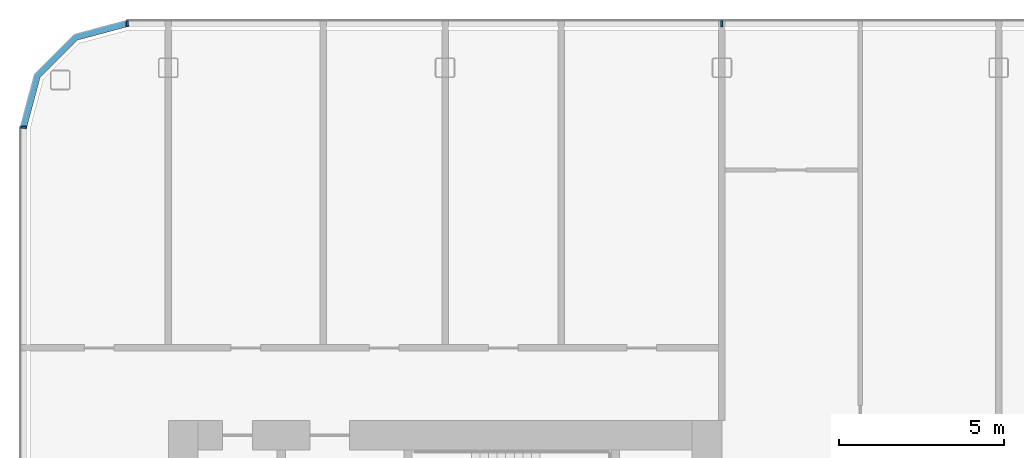
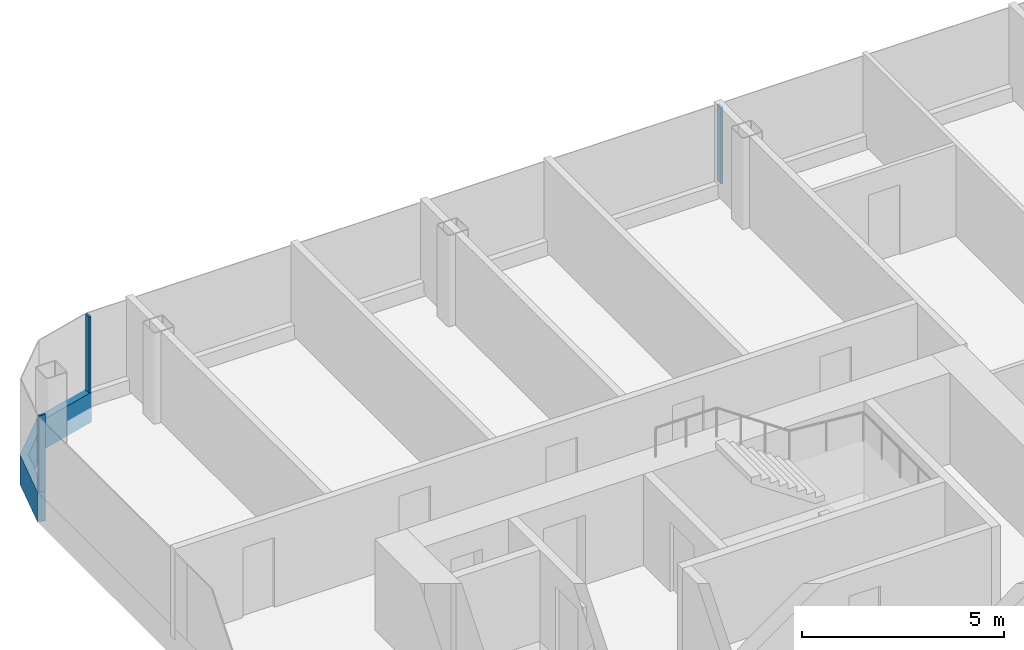
# One storey, part 6 of 26: 4 members, 3 elements without a shape of their own.
"""IFC4 building model written with IfcOpenShell, lengths in metres."""

from ifc_helpers import new_model, si_unit, direction, frame, origin, origin_2d, place, context, subcontext, project, spatial, polyline, rectangle, outline, extrude, material, layer, layer_set, material_profile, profile_set, type_object, element, aggregate, save


model = new_model("IFC4")

# Units and contexts
model_context = context("Model", 3, precision=1e-05, world=origin(), true_north=direction((0.0, 1.0)))
body_context = subcontext(model_context, "Body", "Model", "MODEL_VIEW")
ifc_project = project(units=[si_unit("LENGTHUNIT", "METRE"), si_unit("AREAUNIT", "SQUARE_METRE"), si_unit("VOLUMEUNIT", "CUBIC_METRE"), si_unit("PLANEANGLEUNIT", "RADIAN"), si_unit("MASSUNIT", "GRAM", prefix="KILO")], contexts=[model_context])

# Site, building, storey
site_placement = place(None, origin())
site = spatial("IfcSite", under=ifc_project, at=site_placement, CompositionType="ELEMENT")
building_placement = place(site_placement, origin())
building = spatial("IfcBuilding", under=site, at=building_placement, Name="Hakoniwa Tower and Hamabe Station Hall", CompositionType="ELEMENT")
storey_placement = place(building_placement, frame((0.0, 0.0, 199.39990234375)))
storey = spatial("IfcBuildingStorey", under=building, at=storey_placement, Name="L56", CompositionType="ELEMENT", Elevation=199.39990234375)

# Curtain wall, member
ifc_material_1 = material(Name="Dark low-e laminated glass", Category="glass")
ifc_layer = layer(ifc_material_1, 0.199951171875)
ifc_layer_set = layer_set([ifc_layer], Name="CW-1 UNITISED GUEST")
curtain_wall_type = type_object("IfcCurtainWallType", Name="CW-1 UNITISED GUEST", PredefinedType="NOTDEFINED", material=ifc_layer_set)
curtain_wall_1_placement = place(storey_placement, origin())
curtain_wall_1 = element("IfcCurtainWall", 1, at=curtain_wall_1_placement, inside=storey, type_object=curtain_wall_type, Name="CW-1 curtain wall", PredefinedType="NOTDEFINED")
ifc_material_2 = material(Name="Aluminium 6063-T5 black anodised", Category="aluminium")
ifc_material_profile_1 = material_profile(ifc_material_2, rectangle(XDim=0.199951171875, YDim=0.89990234375, at=origin_2d()), Name="CW SLAB-EDGE BAND 900X200")
ifc_profile_set_1 = profile_set([ifc_material_profile_1], Name="Aluminium 6063-T5 black anodised")
member_type_1 = type_object("IfcMemberType", Name="CW SLAB-EDGE BAND 900X200", PredefinedType="USERDEFINED", material=ifc_profile_set_1)
member_1_placement = place(storey_placement, frame((0.0, 0.0, -0.5498046875)))
member_1 = element("IfcMember", 2, at=member_1_placement, type_object=member_type_1, Name="CW-1 transom", ObjectType="TRANSOM", PredefinedType="USERDEFINED", context=body_context, shape_type="SweptSolid", body=[
    extrude(outline(polyline([(-34.839599609375, 20.550048828125), (-36.455322265625, 20.116943359375), (-37.6669921875, 18.9052734375), (-38.10009765625, 17.28955078125), (-37.90673828125, 17.23779296875), (-37.48779296875, 18.8017578125), (-36.351806640625, 19.937744140625), (-34.787841796875, 20.35693359375), (-34.839599609375, 20.550048828125)])), origin(), (0.0, 0.0, 1.0), 0.89990234375),
])
aggregate(curtain_wall_1, [member_1])

# Curtain wall, members
curtain_wall_2_placement = place(storey_placement, origin())
curtain_wall_2 = element("IfcCurtainWall", 3, at=curtain_wall_2_placement, inside=storey, type_object=curtain_wall_type, Name="CW-1 curtain wall", PredefinedType="NOTDEFINED")
ifc_material_3 = material(Name="Aluminium 6063-T5 black anodised", Category="aluminium")
ifc_material_profile_2 = material_profile(ifc_material_3, rectangle(XDim=0.06005859375, YDim=0.179931640625, at=origin_2d()), Name="CW-1 MULLION 60X180")
ifc_profile_set_2 = profile_set([ifc_material_profile_2], Name="Aluminium 6063-T5 black anodised")
member_type_2 = type_object("IfcMemberType", Name="CW-1 MULLION 60X180", PredefinedType="MULLION", material=ifc_profile_set_2)
member_2_placement = place(storey_placement, frame((-16.800048828125, 20.431884765625, 0.35009765625), z_axis=(0.0, 0.0, 1.0), x_axis=(-1.0, 0.0, 0.0)))
member_2 = element("IfcMember", 4, at=member_2_placement, type_object=member_type_2, Name="CW-1 mullion", PredefinedType="MULLION", context=body_context, shape_type="SweptSolid", body=[
    extrude(rectangle(XDim=0.06005859375, YDim=0.179931640625, at=origin_2d()), origin(), (0.0, 0.0, 1.0), 2.300048828125),
])
member_3_placement = place(storey_placement, frame((-34.839599609375, 20.431884765625, 0.35009765625), z_axis=(0.0, 0.0, 1.0), x_axis=(-1.0, 0.0, 0.0)))
member_3 = element("IfcMember", 5, at=member_3_placement, type_object=member_type_2, Name="CW-1 mullion", PredefinedType="MULLION", context=body_context, shape_type="SweptSolid", body=[
    extrude(rectangle(XDim=0.06005859375, YDim=0.179931640625, at=origin_2d()), origin(), (0.0, 0.0, 1.0), 2.300048828125),
])
aggregate(curtain_wall_2, [member_2, member_3])

# Curtain wall, member
curtain_wall_3_placement = place(storey_placement, origin())
curtain_wall_3 = element("IfcCurtainWall", 6, at=curtain_wall_3_placement, inside=storey, type_object=curtain_wall_type, Name="CW-1 curtain wall", PredefinedType="NOTDEFINED")
member_4_placement = place(storey_placement, frame((-37.98193359375, 17.28955078125, 0.35009765625), z_axis=(0.0, 0.0, 1.0), x_axis=(0.0, -1.0, 0.0)))
member_4 = element("IfcMember", 7, at=member_4_placement, type_object=member_type_2, Name="CW-1 mullion", PredefinedType="MULLION", context=body_context, shape_type="SweptSolid", body=[
    extrude(rectangle(XDim=0.06005859375, YDim=0.179931640625, at=origin_2d()), origin(), (0.0, 0.0, 1.0), 2.300048828125),
])
aggregate(curtain_wall_3, [member_4])

save(model, "model.ifc")
